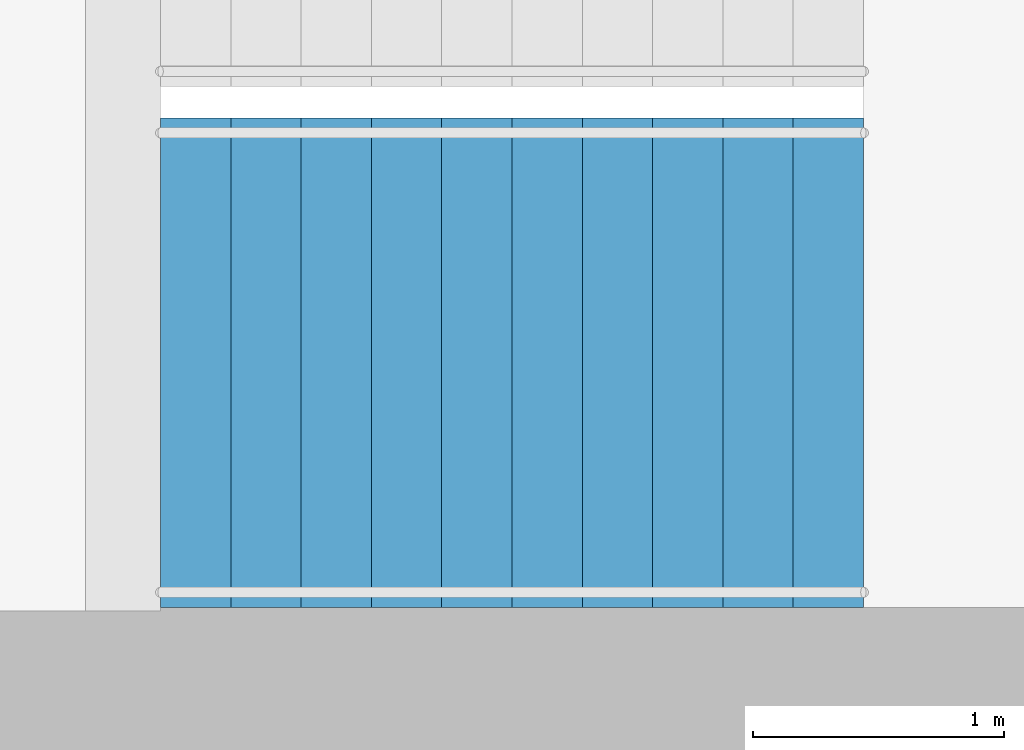
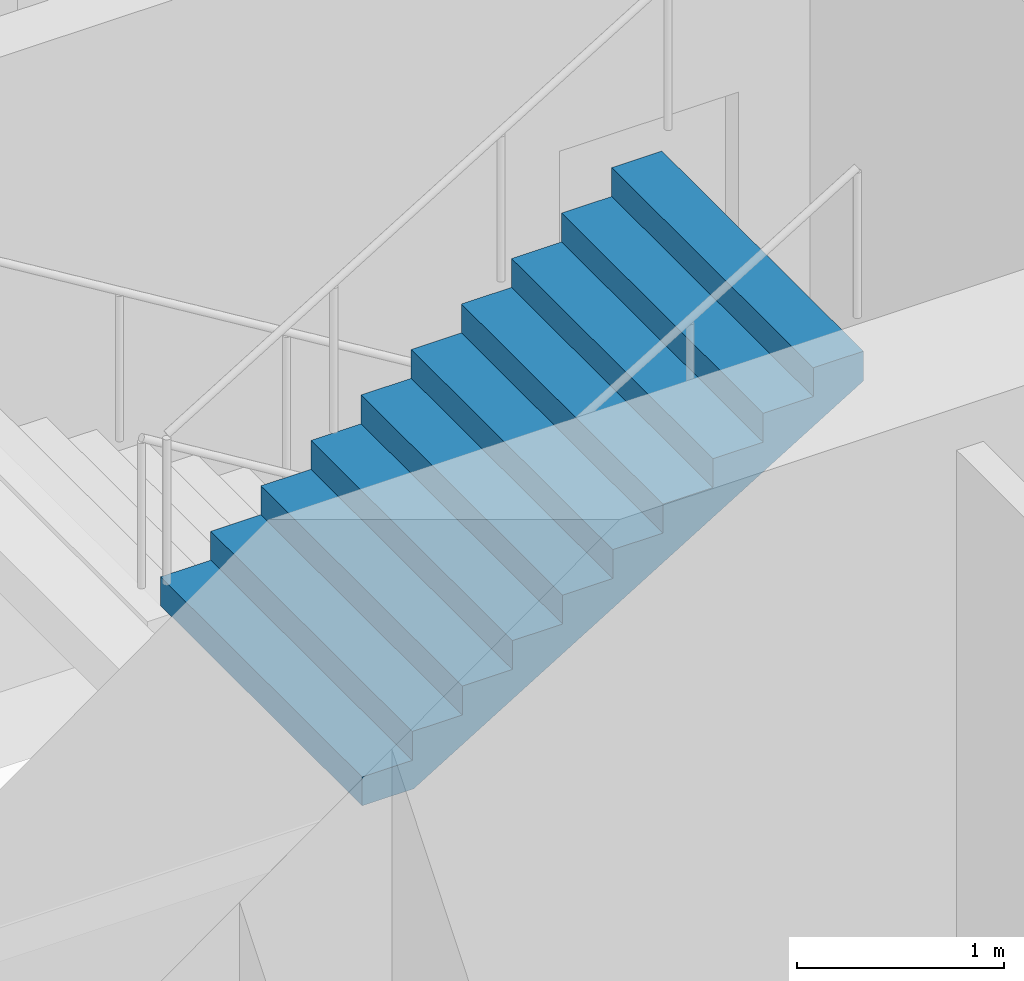
# One storey, part 26 of 28: 1 stair flight, 1 element without a shape of its own.
"""IFC4 building model written with IfcOpenShell, lengths in metres."""

from ifc_helpers import new_model, si_unit, direction, frame, origin, place, context, subcontext, project, spatial, triangles, material, type_object, element, aggregate, save


model = new_model("IFC4")

# Units and contexts
model_context = context("Model", 3, precision=1e-05, world=origin(), true_north=direction((0.0, 1.0)))
body_context = subcontext(model_context, "Body", "Model", "MODEL_VIEW")
ifc_project = project(units=[si_unit("LENGTHUNIT", "METRE"), si_unit("AREAUNIT", "SQUARE_METRE"), si_unit("VOLUMEUNIT", "CUBIC_METRE"), si_unit("PLANEANGLEUNIT", "RADIAN"), si_unit("MASSUNIT", "GRAM", prefix="KILO")], contexts=[model_context])

# Site, building, storey
site_placement = place(None, origin())
site = spatial("IfcSite", under=ifc_project, at=site_placement, CompositionType="ELEMENT")
building_placement = place(site_placement, origin())
building = spatial("IfcBuilding", under=site, at=building_placement, Name="Orbita Commons", CompositionType="ELEMENT")
storey_placement = place(building_placement, frame((0.0, 0.0, 193.60009765625)))
storey = spatial("IfcBuildingStorey", under=building, at=storey_placement, Name="L48", CompositionType="ELEMENT", Elevation=193.60009765625)

# Stair, stair flight
ifc_material_1 = material(Name="Precast concrete C40/50", Category="concrete")
stair_type = type_object("IfcStairType", Name="Exit stair S2 2 flights 11 risers 170", PredefinedType="HALF_TURN_STAIR", material=ifc_material_1)
stair_placement = place(storey_placement, origin())
stair = element("IfcStair", 1, at=stair_placement, inside=storey, type_object=stair_type, Name="Exit stair S2 L48", PredefinedType="HALF_TURN_STAIR")
ifc_material_2 = material(Name="Precast concrete C40/50", Category="concrete")
stair_flight_type = type_object("IfcStairFlightType", Name="Stair flight 11 risers 170 x 280", PredefinedType="STRAIGHT", material=ifc_material_2)
stair_flight_placement = place(storey_placement, frame((60.75, 27.199951171875, 1.875), z_axis=(0.0, 0.0, 1.0), x_axis=(1.0, 0.0, 0.0)))
stair_flight = element("IfcStairFlight", 2, at=stair_flight_placement, type_object=stair_flight_type, Name="S2 flight 2", NumberOfRisers=11, NumberOfTreads=10, PredefinedType="STRAIGHT", RiserHeight=0.170454545, TreadLength=0.28, context=body_context, shape_type="Tessellation", body=[
    triangles([(0.0, 0.974976, 0.0), (0.0, 0.974976, 0.021307), (0.0, 0.81248, 0.021307), (0.0, 0.81248, 0.0), (0.0, 0.649984, 0.021307), (0.0, 0.649984, 0.0), (0.0, 0.487488, 0.021307), (0.0, 0.487488, 0.0), (0.0, 0.324992, 0.021307), (0.0, 0.324992, 0.0), (0.0, 0.162496, 0.021307), (0.0, 0.162496, 0.0), (0.0, 0.0, 0.021307), (0.0, 0.0, 0.0), (0.0, -0.162496, 0.021307), (0.0, -0.162496, 0.0), (0.0, -0.324992, 0.021307), (0.0, -0.324992, 0.0), (0.0, -0.487488, 0.021307), (0.0, -0.487488, 0.0), (0.0, -0.649984, 0.021307), (0.0, -0.649984, 0.0), (0.0, -0.81248, 0.021307), (0.0, -0.81248, 0.0), (0.0, -0.974976, 0.021307), (0.0, -0.974976, 0.0), (0.0, 0.974976, 0.042614), (0.0, 0.81248, 0.042614), (0.0, 0.649984, 0.042614), (0.0, 0.487488, 0.042614), (0.0, 0.324992, 0.042614), (0.0, 0.162496, 0.042614), (0.0, 0.0, 0.042614), (0.0, -0.162496, 0.042614), (0.0, -0.324992, 0.042614), (0.0, -0.487488, 0.042614), (0.0, -0.649984, 0.042614), (0.0, -0.81248, 0.042614), (0.0, -0.974976, 0.042614), (0.0, 0.974976, 0.06392), (0.0, 0.81248, 0.06392), (0.0, 0.649984, 0.06392), (0.0, 0.487488, 0.06392), (0.0, 0.324992, 0.06392), (0.0, 0.162496, 0.06392), (0.0, 0.0, 0.06392), (0.0, -0.162496, 0.06392), (0.0, -0.324992, 0.06392), (0.0, -0.487488, 0.06392), (0.0, -0.649984, 0.06392), (0.0, -0.81248, 0.06392), (0.0, -0.974976, 0.06392), (0.0, 0.974976, 0.085227), (0.0, 0.81248, 0.085227), (0.0, 0.649984, 0.085227), (0.0, 0.487488, 0.085227), (0.0, 0.324992, 0.085227), (0.0, 0.162496, 0.085227), (0.0, 0.0, 0.085227), (0.0, -0.162496, 0.085227), (0.0, -0.324992, 0.085227), (0.0, -0.487488, 0.085227), (0.0, -0.649984, 0.085227), (0.0, -0.81248, 0.085227), (0.0, -0.974976, 0.085227), (0.0, 0.974976, 0.106534), (0.0, 0.81248, 0.106534), (0.0, 0.649984, 0.106534), (0.0, 0.487488, 0.106534), (0.0, 0.324992, 0.106534), (0.0, 0.162496, 0.106534), (0.0, 0.0, 0.106534), (0.0, -0.162496, 0.106534), (0.0, -0.324992, 0.106534), (0.0, -0.487488, 0.106534), (0.0, -0.649984, 0.106534), (0.0, -0.81248, 0.106534), (0.0, -0.974976, 0.106534), (0.0, 0.974976, 0.127841), (0.0, 0.81248, 0.127841), (0.0, 0.649984, 0.127841), (0.0, 0.487488, 0.127841), (0.0, 0.324992, 0.127841), (0.0, 0.162496, 0.127841), (0.0, 0.0, 0.127841), (0.0, -0.162496, 0.127841), (0.0, -0.324992, 0.127841), (0.0, -0.487488, 0.127841), (0.0, -0.649984, 0.127841), (0.0, -0.81248, 0.127841), (0.0, -0.974976, 0.127841), (0.0, 0.974976, 0.149148), (0.0, 0.81248, 0.149148), (0.0, 0.649984, 0.149148), (0.0, 0.487488, 0.149148), (0.0, 0.324992, 0.149148), (0.0, 0.162496, 0.149148), (0.0, 0.0, 0.149148), (0.0, -0.162496, 0.149148), (0.0, -0.324992, 0.149148), (0.0, -0.487488, 0.149148), (0.0, -0.649984, 0.149148), (0.0, -0.81248, 0.149148), (0.0, -0.974976, 0.149148), (0.0, 0.974976, 0.170455), (0.0, 0.81248, 0.170455), (0.0, 0.649984, 0.170455), (0.0, 0.487488, 0.170455), (0.0, 0.324992, 0.170455), (0.0, 0.162496, 0.170455), (0.0, 0.0, 0.170455), (0.0, -0.162496, 0.170455), (0.0, -0.324992, 0.170455), (0.0, -0.487488, 0.170455), (0.0, -0.649984, 0.170455), (0.0, -0.81248, 0.170455), (0.0, -0.974976, 0.170455), (0.28, 0.974976, 0.170455), (0.28, 0.81248, 0.170455), (0.28, 0.649984, 0.170455), (0.28, 0.487488, 0.170455), (0.28, 0.324992, 0.170455), (0.28, 0.162496, 0.170455), (0.28, 0.0, 0.170455), (0.28, -0.162496, 0.170455), (0.28, -0.324992, 0.170455), (0.28, -0.487488, 0.170455), (0.28, -0.649984, 0.170455), (0.28, -0.81248, 0.170455), (0.28, -0.974976, 0.170455), (0.28, 0.974976, 0.340909), (0.28, 0.81248, 0.340909), (0.28, 0.649984, 0.340909), (0.28, 0.487488, 0.340909), (0.28, 0.324992, 0.340909), (0.28, 0.162496, 0.340909), (0.28, 0.0, 0.340909), (0.28, -0.162496, 0.340909), (0.28, -0.324992, 0.340909), (0.28, -0.487488, 0.340909), (0.28, -0.649984, 0.340909), (0.28, -0.81248, 0.340909), (0.28, -0.974976, 0.340909), (0.56, 0.974976, 0.340909), (0.56, 0.81248, 0.340909), (0.56, 0.649984, 0.340909), (0.56, 0.487488, 0.340909), (0.56, 0.324992, 0.340909), (0.56, 0.162496, 0.340909), (0.56, 0.0, 0.340909), (0.56, -0.162496, 0.340909), (0.56, -0.324992, 0.340909), (0.56, -0.487488, 0.340909), (0.56, -0.649984, 0.340909), (0.56, -0.81248, 0.340909), (0.56, -0.974976, 0.340909), (0.56, 0.974976, 0.511364), (0.56, 0.81248, 0.511364), (0.56, 0.649984, 0.511364), (0.56, 0.487488, 0.511364), (0.56, 0.324992, 0.511364), (0.56, 0.162496, 0.511364), (0.56, 0.0, 0.511364), (0.56, -0.162496, 0.511364), (0.56, -0.324992, 0.511364), (0.56, -0.487488, 0.511364), (0.56, -0.649984, 0.511364), (0.56, -0.81248, 0.511364), (0.56, -0.974976, 0.511364), (0.84, 0.974976, 0.511364), (0.84, 0.81248, 0.511364), (0.84, 0.649984, 0.511364), (0.84, 0.487488, 0.511364), (0.84, 0.324992, 0.511364), (0.84, 0.162496, 0.511364), (0.84, 0.0, 0.511364), (0.84, -0.162496, 0.511364), (0.84, -0.324992, 0.511364), (0.84, -0.487488, 0.511364), (0.84, -0.649984, 0.511364), (0.84, -0.81248, 0.511364), (0.84, -0.974976, 0.511364), (0.84, 0.974976, 0.681818), (0.84, 0.81248, 0.681818), (0.84, 0.649984, 0.681818), (0.84, 0.487488, 0.681818), (0.84, 0.324992, 0.681818), (0.84, 0.162496, 0.681818), (0.84, 0.0, 0.681818), (0.84, -0.162496, 0.681818), (0.84, -0.324992, 0.681818), (0.84, -0.487488, 0.681818), (0.84, -0.649984, 0.681818), (0.84, -0.81248, 0.681818), (0.84, -0.974976, 0.681818), (1.12, 0.974976, 0.681818), (1.12, 0.81248, 0.681818), (1.12, 0.649984, 0.681818), (1.12, 0.487488, 0.681818), (1.12, 0.324992, 0.681818), (1.12, 0.162496, 0.681818), (1.12, 0.0, 0.681818), (1.12, -0.162496, 0.681818), (1.12, -0.324992, 0.681818), (1.12, -0.487488, 0.681818), (1.12, -0.649984, 0.681818), (1.12, -0.81248, 0.681818), (1.12, -0.974976, 0.681818), (1.12, 0.974976, 0.852273), (1.12, 0.81248, 0.852273), (1.12, 0.649984, 0.852273), (1.12, 0.487488, 0.852273), (1.12, 0.324992, 0.852273), (1.12, 0.162496, 0.852273), (1.12, 0.0, 0.852273), (1.12, -0.162496, 0.852273), (1.12, -0.324992, 0.852273), (1.12, -0.487488, 0.852273), (1.12, -0.649984, 0.852273), (1.12, -0.81248, 0.852273), (1.12, -0.974976, 0.852273), (1.4, 0.974976, 0.852273), (1.4, 0.81248, 0.852273), (1.4, 0.649984, 0.852273), (1.4, 0.487488, 0.852273), (1.4, 0.324992, 0.852273), (1.4, 0.162496, 0.852273), (1.4, 0.0, 0.852273), (1.4, -0.162496, 0.852273), (1.4, -0.324992, 0.852273), (1.4, -0.487488, 0.852273), (1.4, -0.649984, 0.852273), (1.4, -0.81248, 0.852273), (1.4, -0.974976, 0.852273), (1.4, 0.974976, 1.022727), (1.4, 0.81248, 1.022727), (1.4, 0.649984, 1.022727), (1.4, 0.487488, 1.022727), (1.4, 0.324992, 1.022727), (1.4, 0.162496, 1.022727), (1.4, 0.0, 1.022727), (1.4, -0.162496, 1.022727), (1.4, -0.324992, 1.022727), (1.4, -0.487488, 1.022727), (1.4, -0.649984, 1.022727), (1.4, -0.81248, 1.022727), (1.4, -0.974976, 1.022727), (1.68, 0.974976, 1.022727), (1.68, 0.81248, 1.022727), (1.68, 0.649984, 1.022727), (1.68, 0.487488, 1.022727), (1.68, 0.324992, 1.022727), (1.68, 0.162496, 1.022727), (1.68, 0.0, 1.022727), (1.68, -0.162496, 1.022727), (1.68, -0.324992, 1.022727), (1.68, -0.487488, 1.022727), (1.68, -0.649984, 1.022727), (1.68, -0.81248, 1.022727), (1.68, -0.974976, 1.022727), (1.68, 0.974976, 1.193182), (1.68, 0.81248, 1.193182), (1.68, 0.649984, 1.193182), (1.68, 0.487488, 1.193182), (1.68, 0.324992, 1.193182), (1.68, 0.162496, 1.193182), (1.68, 0.0, 1.193182), (1.68, -0.162496, 1.193182), (1.68, -0.324992, 1.193182), (1.68, -0.487488, 1.193182), (1.68, -0.649984, 1.193182), (1.68, -0.81248, 1.193182), (1.68, -0.974976, 1.193182), (1.96, 0.974976, 1.193182), (1.96, 0.81248, 1.193182), (1.96, 0.649984, 1.193182), (1.96, 0.487488, 1.193182), (1.96, 0.324992, 1.193182), (1.96, 0.162496, 1.193182), (1.96, 0.0, 1.193182), (1.96, -0.162496, 1.193182), (1.96, -0.324992, 1.193182), (1.96, -0.487488, 1.193182), (1.96, -0.649984, 1.193182), (1.96, -0.81248, 1.193182), (1.96, -0.974976, 1.193182), (1.96, 0.974976, 1.363636), (1.96, 0.81248, 1.363636), (1.96, 0.649984, 1.363636), (1.96, 0.487488, 1.363636), (1.96, 0.324992, 1.363636), (1.96, 0.162496, 1.363636), (1.96, 0.0, 1.363636), (1.96, -0.162496, 1.363636), (1.96, -0.324992, 1.363636), (1.96, -0.487488, 1.363636), (1.96, -0.649984, 1.363636), (1.96, -0.81248, 1.363636), (1.96, -0.974976, 1.363636), (2.24, 0.974976, 1.363636), (2.24, 0.81248, 1.363636), (2.24, 0.649984, 1.363636), (2.24, 0.487488, 1.363636), (2.24, 0.324992, 1.363636), (2.24, 0.162496, 1.363636), (2.24, 0.0, 1.363636), (2.24, -0.162496, 1.363636), (2.24, -0.324992, 1.363636), (2.24, -0.487488, 1.363636), (2.24, -0.649984, 1.363636), (2.24, -0.81248, 1.363636), (2.24, -0.974976, 1.363636), (2.24, 0.974976, 1.534091), (2.24, 0.81248, 1.534091), (2.24, 0.649984, 1.534091), (2.24, 0.487488, 1.534091), (2.24, 0.324992, 1.534091), (2.24, 0.162496, 1.534091), (2.24, 0.0, 1.534091), (2.24, -0.162496, 1.534091), (2.24, -0.324992, 1.534091), (2.24, -0.487488, 1.534091), (2.24, -0.649984, 1.534091), (2.24, -0.81248, 1.534091), (2.24, -0.974976, 1.534091), (2.52, 0.974976, 1.534091), (2.52, 0.81248, 1.534091), (2.52, 0.649984, 1.534091), (2.52, 0.487488, 1.534091), (2.52, 0.324992, 1.534091), (2.52, 0.162496, 1.534091), (2.52, 0.0, 1.534091), (2.52, -0.162496, 1.534091), (2.52, -0.324992, 1.534091), (2.52, -0.487488, 1.534091), (2.52, -0.649984, 1.534091), (2.52, -0.81248, 1.534091), (2.52, -0.974976, 1.534091), (2.52, 0.974976, 1.704545), (2.52, 0.81248, 1.704545), (2.52, 0.649984, 1.704545), (2.52, 0.487488, 1.704545), (2.52, 0.324992, 1.704545), (2.52, 0.162496, 1.704545), (2.52, 0.0, 1.704545), (2.52, -0.162496, 1.704545), (2.52, -0.324992, 1.704545), (2.52, -0.487488, 1.704545), (2.52, -0.649984, 1.704545), (2.52, -0.81248, 1.704545), (2.52, -0.974976, 1.704545), (2.8, 0.974976, 1.704545), (2.8, 0.81248, 1.704545), (2.8, 0.649984, 1.704545), (2.8, 0.487488, 1.704545), (2.8, 0.324992, 1.704545), (2.8, 0.162496, 1.704545), (2.8, 0.0, 1.704545), (2.8, -0.162496, 1.704545), (2.8, -0.324992, 1.704545), (2.8, -0.487488, 1.704545), (2.8, -0.649984, 1.704545), (2.8, -0.81248, 1.704545), (2.8, -0.974976, 1.704545), (2.8, 0.974976, 1.682609), (2.8, 0.81248, 1.682609), (2.8, 0.649984, 1.682609), (2.8, 0.487488, 1.682609), (2.8, 0.324992, 1.682609), (2.8, 0.162496, 1.682609), (2.8, 0.0, 1.682609), (2.8, -0.162496, 1.682609), (2.8, -0.324992, 1.682609), (2.8, -0.487488, 1.682609), (2.8, -0.649984, 1.682609), (2.8, -0.81248, 1.682609), (2.8, -0.974976, 1.682609), (2.8, 0.974976, 1.660672), (2.8, 0.81248, 1.660672), (2.8, 0.649984, 1.660672), (2.8, 0.487488, 1.660672), (2.8, 0.324992, 1.660672), (2.8, 0.162496, 1.660672), (2.8, 0.0, 1.660672), (2.8, -0.162496, 1.660672), (2.8, -0.324992, 1.660672), (2.8, -0.487488, 1.660672), (2.8, -0.649984, 1.660672), (2.8, -0.81248, 1.660672), (2.8, -0.974976, 1.660672), (2.8, 0.974976, 1.638735), (2.8, 0.81248, 1.638735), (2.8, 0.649984, 1.638735), (2.8, 0.487488, 1.638735), (2.8, 0.324992, 1.638735), (2.8, 0.162496, 1.638735), (2.8, 0.0, 1.638735), (2.8, -0.162496, 1.638735), (2.8, -0.324992, 1.638735), (2.8, -0.487488, 1.638735), (2.8, -0.649984, 1.638735), (2.8, -0.81248, 1.638735), (2.8, -0.974976, 1.638735), (2.8, 0.974976, 1.616798), (2.8, 0.81248, 1.616798), (2.8, 0.649984, 1.616798), (2.8, 0.487488, 1.616798), (2.8, 0.324992, 1.616798), (2.8, 0.162496, 1.616798), (2.8, 0.0, 1.616798), (2.8, -0.162496, 1.616798), (2.8, -0.324992, 1.616798), (2.8, -0.487488, 1.616798), (2.8, -0.649984, 1.616798), (2.8, -0.81248, 1.616798), (2.8, -0.974976, 1.616798), (2.8, 0.974976, 1.594861), (2.8, 0.81248, 1.594861), (2.8, 0.649984, 1.594861), (2.8, 0.487488, 1.594861), (2.8, 0.324992, 1.594861), (2.8, 0.162496, 1.594861), (2.8, 0.0, 1.594861), (2.8, -0.162496, 1.594861), (2.8, -0.324992, 1.594861), (2.8, -0.487488, 1.594861), (2.8, -0.649984, 1.594861), (2.8, -0.81248, 1.594861), (2.8, -0.974976, 1.594861), (2.8, 0.974976, 1.572925), (2.8, 0.81248, 1.572925), (2.8, 0.649984, 1.572925), (2.8, 0.487488, 1.572925), (2.8, 0.324992, 1.572925), (2.8, 0.162496, 1.572925), (2.8, 0.0, 1.572925), (2.8, -0.162496, 1.572925), (2.8, -0.324992, 1.572925), (2.8, -0.487488, 1.572925), (2.8, -0.649984, 1.572925), (2.8, -0.81248, 1.572925), (2.8, -0.974976, 1.572925), (2.8, 0.974976, 1.550988), (2.8, 0.81248, 1.550988), (2.8, 0.649984, 1.550988), (2.8, 0.487488, 1.550988), (2.8, 0.324992, 1.550988), (2.8, 0.162496, 1.550988), (2.8, 0.0, 1.550988), (2.8, -0.162496, 1.550988), (2.8, -0.324992, 1.550988), (2.8, -0.487488, 1.550988), (2.8, -0.649984, 1.550988), (2.8, -0.81248, 1.550988), (2.8, -0.974976, 1.550988), (2.8, 0.974976, 1.529051), (2.8, 0.81248, 1.529051), (2.8, 0.649984, 1.529051), (2.8, 0.487488, 1.529051), (2.8, 0.324992, 1.529051), (2.8, 0.162496, 1.529051), (2.8, 0.0, 1.529051), (2.8, -0.162496, 1.529051), (2.8, -0.324992, 1.529051), (2.8, -0.487488, 1.529051), (2.8, -0.649984, 1.529051), (2.8, -0.81248, 1.529051), (2.8, -0.974976, 1.529051), (0.288279, 0.974976, 0.0), (0.288279, 0.81248, 0.0), (0.288279, 0.649984, 0.0), (0.288279, 0.487488, 0.0), (0.288279, 0.324992, 0.0), (0.288279, 0.162496, 0.0), (0.288279, 0.0, 0.0), (0.288279, -0.162496, 0.0), (0.288279, -0.324992, 0.0), (0.288279, -0.487488, 0.0), (0.288279, -0.649984, 0.0), (0.288279, -0.81248, 0.0), (0.288279, -0.974976, 0.0)], [[3, 2, 1], [4, 3, 1], [5, 3, 4], [6, 5, 4], [7, 5, 6], [8, 7, 6], [9, 7, 8], [10, 9, 8], [11, 9, 10], [12, 11, 10], [13, 11, 12], [14, 13, 12], [15, 13, 14], [16, 15, 14], [17, 15, 16], [18, 17, 16], [19, 17, 18], [20, 19, 18], [21, 19, 20], [22, 21, 20], [23, 21, 22], [24, 23, 22], [25, 23, 24], [26, 25, 24], [28, 27, 2], [3, 28, 2], [29, 28, 3], [5, 29, 3], [30, 29, 5], [7, 30, 5], [31, 30, 7], [9, 31, 7], [32, 31, 9], [11, 32, 9], [33, 32, 11], [13, 33, 11], [34, 33, 13], [15, 34, 13], [35, 34, 15], [17, 35, 15], [36, 35, 17], [19, 36, 17], [37, 36, 19], [21, 37, 19], [38, 37, 21], [23, 38, 21], [39, 38, 23], [25, 39, 23], [41, 40, 27], [28, 41, 27], [42, 41, 28], [29, 42, 28], [43, 42, 29], [30, 43, 29], [44, 43, 30], [31, 44, 30], [45, 44, 31], [32, 45, 31], [46, 45, 32], [33, 46, 32], [47, 46, 33], [34, 47, 33], [48, 47, 34], [35, 48, 34], [49, 48, 35], [36, 49, 35], [50, 49, 36], [37, 50, 36], [51, 50, 37], [38, 51, 37], [52, 51, 38], [39, 52, 38], [54, 53, 40], [41, 54, 40], [55, 54, 41], [42, 55, 41], [56, 55, 42], [43, 56, 42], [57, 56, 43], [44, 57, 43], [58, 57, 44], [45, 58, 44], [59, 58, 45], [46, 59, 45], [60, 59, 46], [47, 60, 46], [61, 60, 47], [48, 61, 47], [62, 61, 48], [49, 62, 48], [63, 62, 49], [50, 63, 49], [64, 63, 50], [51, 64, 50], [65, 64, 51], [52, 65, 51], [67, 66, 53], [54, 67, 53], [68, 67, 54], [55, 68, 54], [69, 68, 55], [56, 69, 55], [70, 69, 56], [57, 70, 56], [71, 70, 57], [58, 71, 57], [72, 71, 58], [59, 72, 58], [73, 72, 59], [60, 73, 59], [74, 73, 60], [61, 74, 60], [75, 74, 61], [62, 75, 61], [76, 75, 62], [63, 76, 62], [77, 76, 63], [64, 77, 63], [78, 77, 64], [65, 78, 64], [80, 79, 66], [67, 80, 66], [81, 80, 67], [68, 81, 67], [82, 81, 68], [69, 82, 68], [83, 82, 69], [70, 83, 69], [84, 83, 70], [71, 84, 70], [85, 84, 71], [72, 85, 71], [86, 85, 72], [73, 86, 72], [87, 86, 73], [74, 87, 73], [88, 87, 74], [75, 88, 74], [89, 88, 75], [76, 89, 75], [90, 89, 76], [77, 90, 76], [91, 90, 77], [78, 91, 77], [93, 92, 79], [80, 93, 79], [94, 93, 80], [81, 94, 80], [95, 94, 81], [82, 95, 81], [96, 95, 82], [83, 96, 82], [97, 96, 83], [84, 97, 83], [98, 97, 84], [85, 98, 84], [99, 98, 85], [86, 99, 85], [100, 99, 86], [87, 100, 86], [101, 100, 87], [88, 101, 87], [102, 101, 88], [89, 102, 88], [103, 102, 89], [90, 103, 89], [104, 103, 90], [91, 104, 90], [106, 105, 92], [93, 106, 92], [107, 106, 93], [94, 107, 93], [108, 107, 94], [95, 108, 94], [109, 108, 95], [96, 109, 95], [110, 109, 96], [97, 110, 96], [111, 110, 97], [98, 111, 97], [112, 111, 98], [99, 112, 98], [113, 112, 99], [100, 113, 99], [114, 113, 100], [101, 114, 100], [115, 114, 101], [102, 115, 101], [116, 115, 102], [103, 116, 102], [117, 116, 103], [104, 117, 103], [119, 118, 105], [106, 119, 105], [120, 119, 106], [107, 120, 106], [121, 120, 107], [108, 121, 107], [122, 121, 108], [109, 122, 108], [123, 122, 109], [110, 123, 109], [124, 123, 110], [111, 124, 110], [125, 124, 111], [112, 125, 111], [126, 125, 112], [113, 126, 112], [127, 126, 113], [114, 127, 113], [128, 127, 114], [115, 128, 114], [129, 128, 115], [116, 129, 115], [130, 129, 116], [117, 130, 116], [132, 131, 118], [119, 132, 118], [133, 132, 119], [120, 133, 119], [134, 133, 120], [121, 134, 120], [135, 134, 121], [122, 135, 121], [136, 135, 122], [123, 136, 122], [137, 136, 123], [124, 137, 123], [138, 137, 124], [125, 138, 124], [139, 138, 125], [126, 139, 125], [140, 139, 126], [127, 140, 126], [141, 140, 127], [128, 141, 127], [142, 141, 128], [129, 142, 128], [143, 142, 129], [130, 143, 129], [145, 144, 131], [132, 145, 131], [146, 145, 132], [133, 146, 132], [147, 146, 133], [134, 147, 133], [148, 147, 134], [135, 148, 134], [149, 148, 135], [136, 149, 135], [150, 149, 136], [137, 150, 136], [151, 150, 137], [138, 151, 137], [152, 151, 138], [139, 152, 138], [153, 152, 139], [140, 153, 139], [154, 153, 140], [141, 154, 140], [155, 154, 141], [142, 155, 141], [156, 155, 142], [143, 156, 142], [158, 157, 144], [145, 158, 144], [159, 158, 145], [146, 159, 145], [160, 159, 146], [147, 160, 146], [161, 160, 147], [148, 161, 147], [162, 161, 148], [149, 162, 148], [163, 162, 149], [150, 163, 149], [164, 163, 150], [151, 164, 150], [165, 164, 151], [152, 165, 151], [166, 165, 152], [153, 166, 152], [167, 166, 153], [154, 167, 153], [168, 167, 154], [155, 168, 154], [169, 168, 155], [156, 169, 155], [171, 170, 157], [158, 171, 157], [172, 171, 158], [159, 172, 158], [173, 172, 159], [160, 173, 159], [174, 173, 160], [161, 174, 160], [175, 174, 161], [162, 175, 161], [176, 175, 162], [163, 176, 162], [177, 176, 163], [164, 177, 163], [178, 177, 164], [165, 178, 164], [179, 178, 165], [166, 179, 165], [180, 179, 166], [167, 180, 166], [181, 180, 167], [168, 181, 167], [182, 181, 168], [169, 182, 168], [184, 183, 170], [171, 184, 170], [185, 184, 171], [172, 185, 171], [186, 185, 172], [173, 186, 172], [187, 186, 173], [174, 187, 173], [188, 187, 174], [175, 188, 174], [189, 188, 175], [176, 189, 175], [190, 189, 176], [177, 190, 176], [191, 190, 177], [178, 191, 177], [192, 191, 178], [179, 192, 178], [193, 192, 179], [180, 193, 179], [194, 193, 180], [181, 194, 180], [195, 194, 181], [182, 195, 181], [197, 196, 183], [184, 197, 183], [198, 197, 184], [185, 198, 184], [199, 198, 185], [186, 199, 185], [200, 199, 186], [187, 200, 186], [201, 200, 187], [188, 201, 187], [202, 201, 188], [189, 202, 188], [203, 202, 189], [190, 203, 189], [204, 203, 190], [191, 204, 190], [205, 204, 191], [192, 205, 191], [206, 205, 192], [193, 206, 192], [207, 206, 193], [194, 207, 193], [208, 207, 194], [195, 208, 194], [210, 209, 196], [197, 210, 196], [211, 210, 197], [198, 211, 197], [212, 211, 198], [199, 212, 198], [213, 212, 199], [200, 213, 199], [214, 213, 200], [201, 214, 200], [215, 214, 201], [202, 215, 201], [216, 215, 202], [203, 216, 202], [217, 216, 203], [204, 217, 203], [218, 217, 204], [205, 218, 204], [219, 218, 205], [206, 219, 205], [220, 219, 206], [207, 220, 206], [221, 220, 207], [208, 221, 207], [223, 222, 209], [210, 223, 209], [224, 223, 210], [211, 224, 210], [225, 224, 211], [212, 225, 211], [226, 225, 212], [213, 226, 212], [227, 226, 213], [214, 227, 213], [228, 227, 214], [215, 228, 214], [229, 228, 215], [216, 229, 215], [230, 229, 216], [217, 230, 216], [231, 230, 217], [218, 231, 217], [232, 231, 218], [219, 232, 218], [233, 232, 219], [220, 233, 219], [234, 233, 220], [221, 234, 220], [236, 235, 222], [223, 236, 222], [237, 236, 223], [224, 237, 223], [238, 237, 224], [225, 238, 224], [239, 238, 225], [226, 239, 225], [240, 239, 226], [227, 240, 226], [241, 240, 227], [228, 241, 227], [242, 241, 228], [229, 242, 228], [243, 242, 229], [230, 243, 229], [244, 243, 230], [231, 244, 230], [245, 244, 231], [232, 245, 231], [246, 245, 232], [233, 246, 232], [247, 246, 233], [234, 247, 233], [249, 248, 235], [236, 249, 235], [250, 249, 236], [237, 250, 236], [251, 250, 237], [238, 251, 237], [252, 251, 238], [239, 252, 238], [253, 252, 239], [240, 253, 239], [254, 253, 240], [241, 254, 240], [255, 254, 241], [242, 255, 241], [256, 255, 242], [243, 256, 242], [257, 256, 243], [244, 257, 243], [258, 257, 244], [245, 258, 244], [259, 258, 245], [246, 259, 245], [260, 259, 246], [247, 260, 246], [262, 261, 248], [249, 262, 248], [263, 262, 249], [250, 263, 249], [264, 263, 250], [251, 264, 250], [265, 264, 251], [252, 265, 251], [266, 265, 252], [253, 266, 252], [267, 266, 253], [254, 267, 253], [268, 267, 254], [255, 268, 254], [269, 268, 255], [256, 269, 255], [270, 269, 256], [257, 270, 256], [271, 270, 257], [258, 271, 257], [272, 271, 258], [259, 272, 258], [273, 272, 259], [260, 273, 259], [275, 274, 261], [262, 275, 261], [276, 275, 262], [263, 276, 262], [277, 276, 263], [264, 277, 263], [278, 277, 264], [265, 278, 264], [279, 278, 265], [266, 279, 265], [280, 279, 266], [267, 280, 266], [281, 280, 267], [268, 281, 267], [282, 281, 268], [269, 282, 268], [283, 282, 269], [270, 283, 269], [284, 283, 270], [271, 284, 270], [285, 284, 271], [272, 285, 271], [286, 285, 272], [273, 286, 272], [288, 287, 274], [275, 288, 274], [289, 288, 275], [276, 289, 275], [290, 289, 276], [277, 290, 276], [291, 290, 277], [278, 291, 277], [292, 291, 278], [279, 292, 278], [293, 292, 279], [280, 293, 279], [294, 293, 280], [281, 294, 280], [295, 294, 281], [282, 295, 281], [296, 295, 282], [283, 296, 282], [297, 296, 283], [284, 297, 283], [298, 297, 284], [285, 298, 284], [299, 298, 285], [286, 299, 285], [301, 300, 287], [288, 301, 287], [302, 301, 288], [289, 302, 288], [303, 302, 289], [290, 303, 289], [304, 303, 290], [291, 304, 290], [305, 304, 291], [292, 305, 291], [306, 305, 292], [293, 306, 292], [307, 306, 293], [294, 307, 293], [308, 307, 294], [295, 308, 294], [309, 308, 295], [296, 309, 295], [310, 309, 296], [297, 310, 296], [311, 310, 297], [298, 311, 297], [312, 311, 298], [299, 312, 298], [314, 313, 300], [301, 314, 300], [315, 314, 301], [302, 315, 301], [316, 315, 302], [303, 316, 302], [317, 316, 303], [304, 317, 303], [318, 317, 304], [305, 318, 304], [319, 318, 305], [306, 319, 305], [320, 319, 306], [307, 320, 306], [321, 320, 307], [308, 321, 307], [322, 321, 308], [309, 322, 308], [323, 322, 309], [310, 323, 309], [324, 323, 310], [311, 324, 310], [325, 324, 311], [312, 325, 311], [327, 326, 313], [314, 327, 313], [328, 327, 314], [315, 328, 314], [329, 328, 315], [316, 329, 315], [330, 329, 316], [317, 330, 316], [331, 330, 317], [318, 331, 317], [332, 331, 318], [319, 332, 318], [333, 332, 319], [320, 333, 319], [334, 333, 320], [321, 334, 320], [335, 334, 321], [322, 335, 321], [336, 335, 322], [323, 336, 322], [337, 336, 323], [324, 337, 323], [338, 337, 324], [325, 338, 324], [340, 339, 326], [327, 340, 326], [341, 340, 327], [328, 341, 327], [342, 341, 328], [329, 342, 328], [343, 342, 329], [330, 343, 329], [344, 343, 330], [331, 344, 330], [345, 344, 331], [332, 345, 331], [346, 345, 332], [333, 346, 332], [347, 346, 333], [334, 347, 333], [348, 347, 334], [335, 348, 334], [349, 348, 335], [336, 349, 335], [350, 349, 336], [337, 350, 336], [351, 350, 337], [338, 351, 337], [353, 352, 339], [340, 353, 339], [354, 353, 340], [341, 354, 340], [355, 354, 341], [342, 355, 341], [356, 355, 342], [343, 356, 342], [357, 356, 343], [344, 357, 343], [358, 357, 344], [345, 358, 344], [359, 358, 345], [346, 359, 345], [360, 359, 346], [347, 360, 346], [361, 360, 347], [348, 361, 347], [362, 361, 348], [349, 362, 348], [363, 362, 349], [350, 363, 349], [364, 363, 350], [351, 364, 350], [366, 365, 352], [353, 366, 352], [367, 366, 353], [354, 367, 353], [368, 367, 354], [355, 368, 354], [369, 368, 355], [356, 369, 355], [370, 369, 356], [357, 370, 356], [371, 370, 357], [358, 371, 357], [372, 371, 358], [359, 372, 358], [373, 372, 359], [360, 373, 359], [374, 373, 360], [361, 374, 360], [375, 374, 361], [362, 375, 361], [376, 375, 362], [363, 376, 362], [377, 376, 363], [364, 377, 363], [379, 378, 365], [366, 379, 365], [380, 379, 366], [367, 380, 366], [381, 380, 367], [368, 381, 367], [382, 381, 368], [369, 382, 368], [383, 382, 369], [370, 383, 369], [384, 383, 370], [371, 384, 370], [385, 384, 371], [372, 385, 371], [386, 385, 372], [373, 386, 372], [387, 386, 373], [374, 387, 373], [388, 387, 374], [375, 388, 374], [389, 388, 375], [376, 389, 375], [390, 389, 376], [377, 390, 376], [392, 391, 378], [379, 392, 378], [393, 392, 379], [380, 393, 379], [394, 393, 380], [381, 394, 380], [395, 394, 381], [382, 395, 381], [396, 395, 382], [383, 396, 382], [397, 396, 383], [384, 397, 383], [398, 397, 384], [385, 398, 384], [399, 398, 385], [386, 399, 385], [400, 399, 386], [387, 400, 386], [401, 400, 387], [388, 401, 387], [402, 401, 388], [389, 402, 388], [403, 402, 389], [390, 403, 389], [405, 404, 391], [392, 405, 391], [406, 405, 392], [393, 406, 392], [407, 406, 393], [394, 407, 393], [408, 407, 394], [395, 408, 394], [409, 408, 395], [396, 409, 395], [410, 409, 396], [397, 410, 396], [411, 410, 397], [398, 411, 397], [412, 411, 398], [399, 412, 398], [413, 412, 399], [400, 413, 399], [414, 413, 400], [401, 414, 400], [415, 414, 401], [402, 415, 401], [416, 415, 402], [403, 416, 402], [418, 417, 404], [405, 418, 404], [419, 418, 405], [406, 419, 405], [420, 419, 406], [407, 420, 406], [421, 420, 407], [408, 421, 407], [422, 421, 408], [409, 422, 408], [423, 422, 409], [410, 423, 409], [424, 423, 410], [411, 424, 410], [425, 424, 411], [412, 425, 411], [426, 425, 412], [413, 426, 412], [427, 426, 413], [414, 427, 413], [428, 427, 414], [415, 428, 414], [429, 428, 415], [416, 429, 415], [431, 430, 417], [418, 431, 417], [432, 431, 418], [419, 432, 418], [433, 432, 419], [420, 433, 419], [434, 433, 420], [421, 434, 420], [435, 434, 421], [422, 435, 421], [436, 435, 422], [423, 436, 422], [437, 436, 423], [424, 437, 423], [438, 437, 424], [425, 438, 424], [439, 438, 425], [426, 439, 425], [440, 439, 426], [427, 440, 426], [441, 440, 427], [428, 441, 427], [442, 441, 428], [429, 442, 428], [444, 443, 430], [431, 444, 430], [445, 444, 431], [432, 445, 431], [446, 445, 432], [433, 446, 432], [447, 446, 433], [434, 447, 433], [448, 447, 434], [435, 448, 434], [449, 448, 435], [436, 449, 435], [450, 449, 436], [437, 450, 436], [451, 450, 437], [438, 451, 437], [452, 451, 438], [439, 452, 438], [453, 452, 439], [440, 453, 439], [454, 453, 440], [441, 454, 440], [455, 454, 441], [442, 455, 441], [457, 456, 443], [444, 457, 443], [458, 457, 444], [445, 458, 444], [459, 458, 445], [446, 459, 445], [460, 459, 446], [447, 460, 446], [461, 460, 447], [448, 461, 447], [462, 461, 448], [449, 462, 448], [463, 462, 449], [450, 463, 449], [464, 463, 450], [451, 464, 450], [465, 464, 451], [452, 465, 451], [466, 465, 452], [453, 466, 452], [467, 466, 453], [454, 467, 453], [468, 467, 454], [455, 468, 454], [470, 469, 456], [457, 470, 456], [471, 470, 457], [458, 471, 457], [472, 471, 458], [459, 472, 458], [473, 472, 459], [460, 473, 459], [474, 473, 460], [461, 474, 460], [475, 474, 461], [462, 475, 461], [476, 475, 462], [463, 476, 462], [477, 476, 463], [464, 477, 463], [478, 477, 464], [465, 478, 464], [479, 478, 465], [466, 479, 465], [480, 479, 466], [467, 480, 466], [481, 480, 467], [468, 481, 467], [4, 1, 469], [470, 4, 469], [6, 4, 470], [471, 6, 470], [8, 6, 471], [472, 8, 471], [10, 8, 472], [473, 10, 472], [12, 10, 473], [474, 12, 473], [14, 12, 474], [475, 14, 474], [16, 14, 475], [476, 16, 475], [18, 16, 476], [477, 18, 476], [20, 18, 477], [478, 20, 477], [22, 20, 478], [479, 22, 478], [24, 22, 479], [480, 24, 479], [26, 24, 480], [481, 26, 480], [456, 469, 1], [26, 481, 468], [443, 456, 1], [26, 468, 455], [430, 443, 1], [26, 455, 442], [417, 430, 1], [26, 442, 429], [404, 417, 1], [26, 429, 416], [391, 404, 1], [26, 416, 403], [378, 391, 1], [26, 403, 390], [365, 378, 1], [26, 390, 377], [339, 352, 365], [377, 364, 351], [326, 339, 365], [377, 351, 338], [300, 313, 326], [338, 325, 312], [300, 326, 365], [377, 338, 312], [274, 287, 300], [312, 299, 286], [274, 300, 365], [377, 312, 286], [248, 261, 274], [286, 273, 260], [248, 274, 365], [377, 286, 260], [222, 235, 248], [260, 247, 234], [222, 248, 365], [377, 260, 234], [196, 209, 222], [234, 221, 208], [196, 222, 365], [377, 234, 208], [170, 183, 196], [208, 195, 182], [170, 196, 365], [377, 208, 182], [144, 157, 170], [182, 169, 156], [144, 170, 365], [377, 182, 156], [118, 131, 144], [156, 143, 130], [118, 144, 365], [377, 156, 130], [118, 365, 1], [26, 377, 130], [92, 105, 118], [130, 117, 104], [79, 92, 118], [130, 104, 91], [66, 79, 118], [130, 91, 78], [53, 66, 118], [130, 78, 65], [40, 53, 118], [130, 65, 52], [27, 40, 118], [130, 52, 39], [2, 27, 118], [130, 39, 25], [1, 2, 118], [130, 25, 26]], closed=True),
])
aggregate(stair, [stair_flight])

save(model, "model.ifc")
